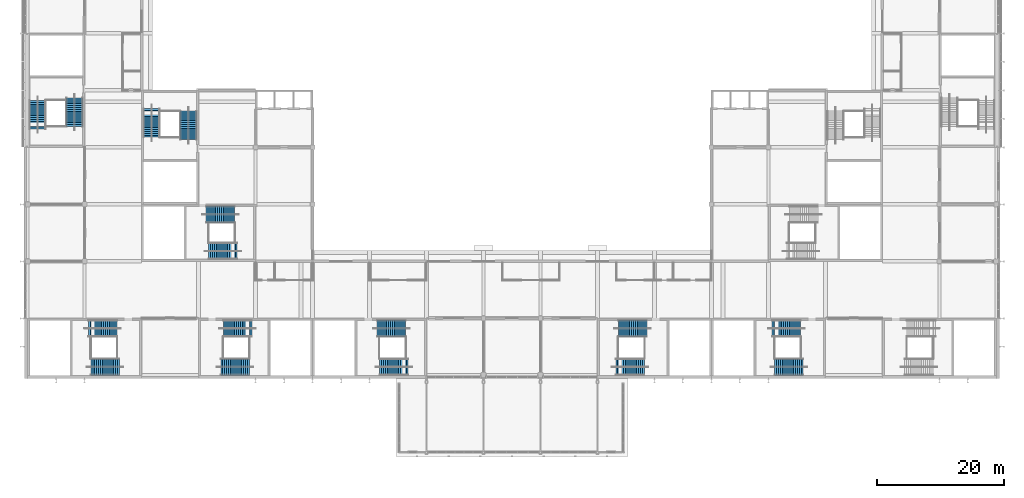
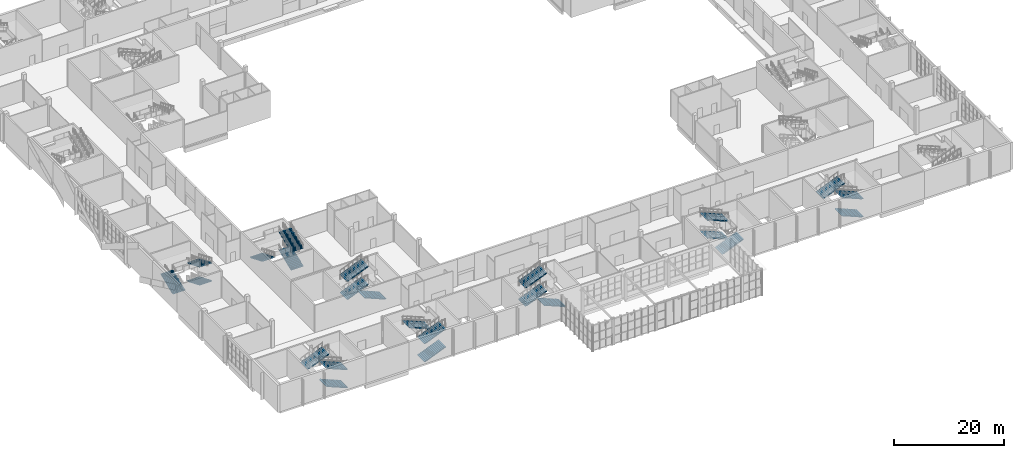
# One storey, part 50 of 89: 24 stair flights, 8 elements without a shape of their own.
"""IFC4 building model written with IfcOpenShell, lengths in metres."""

from ifc_helpers import new_model, si_unit, direction, frame, origin, place, context, subcontext, project, spatial, polyline, outline, extrude, material, type_object, element, aggregate, save


model = new_model("IFC4")

# Units and contexts
model_context = context("Model", 3, precision=1e-05, world=origin(), true_north=direction((0.0, 1.0)))
body_context = subcontext(model_context, "Body", "Model", "MODEL_VIEW")
ifc_project = project(units=[si_unit("LENGTHUNIT", "METRE"), si_unit("AREAUNIT", "SQUARE_METRE"), si_unit("VOLUMEUNIT", "CUBIC_METRE"), si_unit("PLANEANGLEUNIT", "RADIAN"), si_unit("MASSUNIT", "GRAM", prefix="KILO")], contexts=[model_context])

# Site, building, storey
site_placement = place(None, origin())
site = spatial("IfcSite", under=ifc_project, at=site_placement, CompositionType="ELEMENT")
building_placement = place(site_placement, origin())
building = spatial("IfcBuilding", under=site, at=building_placement, Name="Silverbay Arena", CompositionType="ELEMENT")
storey_placement = place(building_placement, frame((0.0, 0.0, 22.0)))
storey = spatial("IfcBuildingStorey", under=building, at=storey_placement, Name="L03", CompositionType="ELEMENT", Elevation=22.0)

# Stair, stair flights
ifc_material_1 = material(Name="Concrete Grade C45", Category="concrete")
stair_type = type_object("IfcStairType", Name="Stair 2600 wide 48 risers 125.0 x 300", PredefinedType="HALF_TURN_STAIR", material=ifc_material_1)
stair_1_placement = place(storey_placement, origin())
stair_1 = element("IfcStair", 1, at=stair_1_placement, inside=storey, type_object=stair_type, Name="Stair ST-S1 L03 to L04", PredefinedType="HALF_TURN_STAIR")
ifc_material_2 = material(Name="Concrete Grade C45", Category="concrete")
stair_flight_type = type_object("IfcStairFlightType", Name="Stair flight 2600 wide 16 risers 125.0 x 300", PredefinedType="STRAIGHT", material=ifc_material_2)
stair_flight_1_placement = place(storey_placement, frame((84.510009765625, 19.300048828125, 0.0), z_axis=(0.0, 0.0, 1.0), x_axis=(1.0, 0.0, 0.0)))
stair_flight_1 = element("IfcStairFlight", 2, at=stair_flight_1_placement, type_object=stair_flight_type, Name="Stair ST-S1 L03 to L04 flight 1", NumberOfRisers=16, NumberOfTreads=15, PredefinedType="STRAIGHT", RiserHeight=0.125, TreadLength=0.3, context=body_context, shape_type="SweptSolid", body=[
    extrude(outline(polyline([(0.0, 0.0), (0.0, 0.125), (0.300048828125, 0.125), (0.300048828125, 0.25), (0.60009765625, 0.25), (0.60009765625, 0.375), (0.89990234375, 0.375), (0.89990234375, 0.5), (1.199951171875, 0.5), (1.199951171875, 0.625), (1.5, 0.625), (1.5, 0.75), (1.800048828125, 0.75), (1.800048828125, 0.875), (2.10009765625, 0.875), (2.10009765625, 1.0), (2.39990234375, 1.0), (2.39990234375, 1.125), (2.699951171875, 1.125), (2.699951171875, 1.25), (3.0, 1.25), (3.0, 1.375), (3.300048828125, 1.375), (3.300048828125, 1.5), (3.60009765625, 1.5), (3.60009765625, 1.625), (3.89990234375, 1.625), (3.89990234375, 1.75), (4.199951171875, 1.75), (4.199951171875, 1.875), (4.5, 1.875), (4.5, 1.712646484375), (0.3896484375, 0.0), (0.0, 0.0)])), frame((0.0, 1.300048828125, 0.0), z_axis=(0.0, -1.0, 0.0), x_axis=(1.0, 0.0, 0.0)), (0.0, 0.0, 1.0), 2.60009765625),
])
stair_flight_2_placement = place(storey_placement, frame((89.39990234375, 25.39990234375, 2.0), z_axis=(0.0, 0.0, 1.0), x_axis=(-1.0, 0.0, 0.0)))
stair_flight_2 = element("IfcStairFlight", 3, at=stair_flight_2_placement, type_object=stair_flight_type, Name="Stair ST-S1 L03 to L04 flight 2", NumberOfRisers=16, NumberOfTreads=15, PredefinedType="STRAIGHT", RiserHeight=0.125, TreadLength=0.3, context=body_context, shape_type="SweptSolid", body=[
    extrude(outline(polyline([(0.0, 0.0), (0.0, 0.125), (0.300048828125, 0.125), (0.300048828125, 0.25), (0.60009765625, 0.25), (0.60009765625, 0.375), (0.89990234375, 0.375), (0.89990234375, 0.5), (1.199951171875, 0.5), (1.199951171875, 0.625), (1.5, 0.625), (1.5, 0.75), (1.800048828125, 0.75), (1.800048828125, 0.875), (2.10009765625, 0.875), (2.10009765625, 1.0), (2.39990234375, 1.0), (2.39990234375, 1.125), (2.699951171875, 1.125), (2.699951171875, 1.25), (3.0, 1.25), (3.0, 1.375), (3.300048828125, 1.375), (3.300048828125, 1.5), (3.60009765625, 1.5), (3.60009765625, 1.625), (3.89990234375, 1.625), (3.89990234375, 1.75), (4.199951171875, 1.75), (4.199951171875, 1.875), (4.5, 1.875), (4.5, 1.712646484375), (0.3896484375, 0.0), (0.0, 0.0)])), frame((0.0, 1.300048828125, 0.0), z_axis=(0.0, -1.0, 0.0), x_axis=(1.0, 0.0, 0.0)), (0.0, 0.0, 1.0), 2.60009765625),
])
stair_flight_3_placement = place(storey_placement, frame((84.510009765625, 19.300048828125, 4.0), z_axis=(0.0, 0.0, 1.0), x_axis=(1.0, 0.0, 0.0)))
stair_flight_3 = element("IfcStairFlight", 4, at=stair_flight_3_placement, type_object=stair_flight_type, Name="Stair ST-S1 L03 to L04 flight 3", NumberOfRisers=16, NumberOfTreads=15, PredefinedType="STRAIGHT", RiserHeight=0.125, TreadLength=0.3, context=body_context, shape_type="SweptSolid", body=[
    extrude(outline(polyline([(0.0, 0.0), (0.0, 0.125), (0.300048828125, 0.125), (0.300048828125, 0.25), (0.60009765625, 0.25), (0.60009765625, 0.375), (0.89990234375, 0.375), (0.89990234375, 0.5), (1.199951171875, 0.5), (1.199951171875, 0.625), (1.5, 0.625), (1.5, 0.75), (1.800048828125, 0.75), (1.800048828125, 0.875), (2.10009765625, 0.875), (2.10009765625, 1.0), (2.39990234375, 1.0), (2.39990234375, 1.125), (2.699951171875, 1.125), (2.699951171875, 1.25), (3.0, 1.25), (3.0, 1.375), (3.300048828125, 1.375), (3.300048828125, 1.5), (3.60009765625, 1.5), (3.60009765625, 1.625), (3.89990234375, 1.625), (3.89990234375, 1.75), (4.199951171875, 1.75), (4.199951171875, 1.875), (4.5, 1.875), (4.5, 1.712646484375), (0.3896484375, 0.0), (0.0, 0.0)])), frame((0.0, 1.300048828125, 0.0), z_axis=(0.0, -1.0, 0.0), x_axis=(1.0, 0.0, 0.0)), (0.0, 0.0, 1.0), 2.60009765625),
])
aggregate(stair_1, [stair_flight_1, stair_flight_2, stair_flight_3])

stair_2_placement = place(storey_placement, origin())
stair_2 = element("IfcStair", 5, at=stair_2_placement, inside=storey, type_object=stair_type, Name="Stair ST-S2 L03 to L04", PredefinedType="HALF_TURN_STAIR")
stair_flight_4_placement = place(storey_placement, frame((109.2099609375, 25.39990234375, 0.0), z_axis=(0.0, 0.0, 1.0), x_axis=(1.0, 0.0, 0.0)))
stair_flight_4 = element("IfcStairFlight", 6, at=stair_flight_4_placement, type_object=stair_flight_type, Name="Stair ST-S2 L03 to L04 flight 1", NumberOfRisers=16, NumberOfTreads=15, PredefinedType="STRAIGHT", RiserHeight=0.125, TreadLength=0.3, context=body_context, shape_type="SweptSolid", body=[
    extrude(outline(polyline([(0.0, 0.0), (0.0, 0.125), (0.300048828125, 0.125), (0.300048828125, 0.25), (0.60009765625, 0.25), (0.60009765625, 0.375), (0.89990234375, 0.375), (0.89990234375, 0.5), (1.199951171875, 0.5), (1.199951171875, 0.625), (1.5, 0.625), (1.5, 0.75), (1.800048828125, 0.75), (1.800048828125, 0.875), (2.10009765625, 0.875), (2.10009765625, 1.0), (2.39990234375, 1.0), (2.39990234375, 1.125), (2.699951171875, 1.125), (2.699951171875, 1.25), (3.0, 1.25), (3.0, 1.375), (3.300048828125, 1.375), (3.300048828125, 1.5), (3.60009765625, 1.5), (3.60009765625, 1.625), (3.89990234375, 1.625), (3.89990234375, 1.75), (4.199951171875, 1.75), (4.199951171875, 1.875), (4.5, 1.875), (4.5, 1.712646484375), (0.3896484375, 0.0), (0.0, 0.0)])), frame((0.0, 1.300048828125, 0.0), z_axis=(0.0, -1.0, 0.0), x_axis=(1.0, 0.0, 0.0)), (0.0, 0.0, 1.0), 2.60009765625),
])
stair_flight_5_placement = place(storey_placement, frame((114.10009765625, 19.300048828125, 2.0), z_axis=(0.0, 0.0, 1.0), x_axis=(-1.0, 0.0, 0.0)))
stair_flight_5 = element("IfcStairFlight", 7, at=stair_flight_5_placement, type_object=stair_flight_type, Name="Stair ST-S2 L03 to L04 flight 2", NumberOfRisers=16, NumberOfTreads=15, PredefinedType="STRAIGHT", RiserHeight=0.125, TreadLength=0.3, context=body_context, shape_type="SweptSolid", body=[
    extrude(outline(polyline([(0.0, 0.0), (0.0, 0.125), (0.300048828125, 0.125), (0.300048828125, 0.25), (0.60009765625, 0.25), (0.60009765625, 0.375), (0.89990234375, 0.375), (0.89990234375, 0.5), (1.199951171875, 0.5), (1.199951171875, 0.625), (1.5, 0.625), (1.5, 0.75), (1.800048828125, 0.75), (1.800048828125, 0.875), (2.10009765625, 0.875), (2.10009765625, 1.0), (2.39990234375, 1.0), (2.39990234375, 1.125), (2.699951171875, 1.125), (2.699951171875, 1.25), (3.0, 1.25), (3.0, 1.375), (3.300048828125, 1.375), (3.300048828125, 1.5), (3.60009765625, 1.5), (3.60009765625, 1.625), (3.89990234375, 1.625), (3.89990234375, 1.75), (4.199951171875, 1.75), (4.199951171875, 1.875), (4.5, 1.875), (4.5, 1.712646484375), (0.3896484375, 0.0), (0.0, 0.0)])), frame((0.0, 1.300048828125, 0.0), z_axis=(0.0, -1.0, 0.0), x_axis=(1.0, 0.0, 0.0)), (0.0, 0.0, 1.0), 2.60009765625),
])
stair_flight_6_placement = place(storey_placement, frame((109.2099609375, 25.39990234375, 4.0), z_axis=(0.0, 0.0, 1.0), x_axis=(1.0, 0.0, 0.0)))
stair_flight_6 = element("IfcStairFlight", 8, at=stair_flight_6_placement, type_object=stair_flight_type, Name="Stair ST-S2 L03 to L04 flight 3", NumberOfRisers=16, NumberOfTreads=15, PredefinedType="STRAIGHT", RiserHeight=0.125, TreadLength=0.3, context=body_context, shape_type="SweptSolid", body=[
    extrude(outline(polyline([(0.0, 0.0), (0.0, 0.125), (0.300048828125, 0.125), (0.300048828125, 0.25), (0.60009765625, 0.25), (0.60009765625, 0.375), (0.89990234375, 0.375), (0.89990234375, 0.5), (1.199951171875, 0.5), (1.199951171875, 0.625), (1.5, 0.625), (1.5, 0.75), (1.800048828125, 0.75), (1.800048828125, 0.875), (2.10009765625, 0.875), (2.10009765625, 1.0), (2.39990234375, 1.0), (2.39990234375, 1.125), (2.699951171875, 1.125), (2.699951171875, 1.25), (3.0, 1.25), (3.0, 1.375), (3.300048828125, 1.375), (3.300048828125, 1.5), (3.60009765625, 1.5), (3.60009765625, 1.625), (3.89990234375, 1.625), (3.89990234375, 1.75), (4.199951171875, 1.75), (4.199951171875, 1.875), (4.5, 1.875), (4.5, 1.712646484375), (0.3896484375, 0.0), (0.0, 0.0)])), frame((0.0, 1.300048828125, 0.0), z_axis=(0.0, -1.0, 0.0), x_axis=(1.0, 0.0, 0.0)), (0.0, 0.0, 1.0), 2.60009765625),
])
aggregate(stair_2, [stair_flight_4, stair_flight_5, stair_flight_6])

stair_3_placement = place(storey_placement, origin())
stair_3 = element("IfcStair", 9, at=stair_3_placement, inside=storey, type_object=stair_type, Name="Stair ST-S3 L03 to L04", PredefinedType="HALF_TURN_STAIR")
stair_flight_7_placement = place(storey_placement, frame((151.7900390625, 25.39990234375, 0.0), z_axis=(0.0, 0.0, 1.0), x_axis=(-1.0, 0.0, 0.0)))
stair_flight_7 = element("IfcStairFlight", 10, at=stair_flight_7_placement, type_object=stair_flight_type, Name="Stair ST-S3 L03 to L04 flight 1", NumberOfRisers=16, NumberOfTreads=15, PredefinedType="STRAIGHT", RiserHeight=0.125, TreadLength=0.3, context=body_context, shape_type="SweptSolid", body=[
    extrude(outline(polyline([(0.0, 0.0), (0.0, 0.125), (0.300048828125, 0.125), (0.300048828125, 0.25), (0.60009765625, 0.25), (0.60009765625, 0.375), (0.89990234375, 0.375), (0.89990234375, 0.5), (1.199951171875, 0.5), (1.199951171875, 0.625), (1.5, 0.625), (1.5, 0.75), (1.800048828125, 0.75), (1.800048828125, 0.875), (2.10009765625, 0.875), (2.10009765625, 1.0), (2.39990234375, 1.0), (2.39990234375, 1.125), (2.699951171875, 1.125), (2.699951171875, 1.25), (3.0, 1.25), (3.0, 1.375), (3.300048828125, 1.375), (3.300048828125, 1.5), (3.60009765625, 1.5), (3.60009765625, 1.625), (3.89990234375, 1.625), (3.89990234375, 1.75), (4.199951171875, 1.75), (4.199951171875, 1.875), (4.5, 1.875), (4.5, 1.712646484375), (0.3896484375, 0.0), (0.0, 0.0)])), frame((0.0, 1.300048828125, 0.0), z_axis=(0.0, -1.0, 0.0), x_axis=(1.0, 0.0, 0.0)), (0.0, 0.0, 1.0), 2.60009765625),
])
stair_flight_8_placement = place(storey_placement, frame((146.89990234375, 19.300048828125, 2.0), z_axis=(0.0, 0.0, 1.0), x_axis=(1.0, 0.0, 0.0)))
stair_flight_8 = element("IfcStairFlight", 11, at=stair_flight_8_placement, type_object=stair_flight_type, Name="Stair ST-S3 L03 to L04 flight 2", NumberOfRisers=16, NumberOfTreads=15, PredefinedType="STRAIGHT", RiserHeight=0.125, TreadLength=0.3, context=body_context, shape_type="SweptSolid", body=[
    extrude(outline(polyline([(0.0, 0.0), (0.0, 0.125), (0.300048828125, 0.125), (0.300048828125, 0.25), (0.60009765625, 0.25), (0.60009765625, 0.375), (0.89990234375, 0.375), (0.89990234375, 0.5), (1.199951171875, 0.5), (1.199951171875, 0.625), (1.5, 0.625), (1.5, 0.75), (1.800048828125, 0.75), (1.800048828125, 0.875), (2.10009765625, 0.875), (2.10009765625, 1.0), (2.39990234375, 1.0), (2.39990234375, 1.125), (2.699951171875, 1.125), (2.699951171875, 1.25), (3.0, 1.25), (3.0, 1.375), (3.300048828125, 1.375), (3.300048828125, 1.5), (3.60009765625, 1.5), (3.60009765625, 1.625), (3.89990234375, 1.625), (3.89990234375, 1.75), (4.199951171875, 1.75), (4.199951171875, 1.875), (4.5, 1.875), (4.5, 1.712646484375), (0.3896484375, 0.0), (0.0, 0.0)])), frame((0.0, 1.300048828125, 0.0), z_axis=(0.0, -1.0, 0.0), x_axis=(1.0, 0.0, 0.0)), (0.0, 0.0, 1.0), 2.60009765625),
])
stair_flight_9_placement = place(storey_placement, frame((151.7900390625, 25.39990234375, 4.0), z_axis=(0.0, 0.0, 1.0), x_axis=(-1.0, 0.0, 0.0)))
stair_flight_9 = element("IfcStairFlight", 12, at=stair_flight_9_placement, type_object=stair_flight_type, Name="Stair ST-S3 L03 to L04 flight 3", NumberOfRisers=16, NumberOfTreads=15, PredefinedType="STRAIGHT", RiserHeight=0.125, TreadLength=0.3, context=body_context, shape_type="SweptSolid", body=[
    extrude(outline(polyline([(0.0, 0.0), (0.0, 0.125), (0.300048828125, 0.125), (0.300048828125, 0.25), (0.60009765625, 0.25), (0.60009765625, 0.375), (0.89990234375, 0.375), (0.89990234375, 0.5), (1.199951171875, 0.5), (1.199951171875, 0.625), (1.5, 0.625), (1.5, 0.75), (1.800048828125, 0.75), (1.800048828125, 0.875), (2.10009765625, 0.875), (2.10009765625, 1.0), (2.39990234375, 1.0), (2.39990234375, 1.125), (2.699951171875, 1.125), (2.699951171875, 1.25), (3.0, 1.25), (3.0, 1.375), (3.300048828125, 1.375), (3.300048828125, 1.5), (3.60009765625, 1.5), (3.60009765625, 1.625), (3.89990234375, 1.625), (3.89990234375, 1.75), (4.199951171875, 1.75), (4.199951171875, 1.875), (4.5, 1.875), (4.5, 1.712646484375), (0.3896484375, 0.0), (0.0, 0.0)])), frame((0.0, 1.300048828125, 0.0), z_axis=(0.0, -1.0, 0.0), x_axis=(1.0, 0.0, 0.0)), (0.0, 0.0, 1.0), 2.60009765625),
])
aggregate(stair_3, [stair_flight_7, stair_flight_8, stair_flight_9])

stair_4_placement = place(storey_placement, origin())
stair_4 = element("IfcStair", 13, at=stair_4_placement, inside=storey, type_object=stair_type, Name="Stair ST-S4 L03 to L04", PredefinedType="HALF_TURN_STAIR")
stair_flight_10_placement = place(storey_placement, frame((176.489990234375, 19.300048828125, 0.0), z_axis=(0.0, 0.0, 1.0), x_axis=(-1.0, 0.0, 0.0)))
stair_flight_10 = element("IfcStairFlight", 14, at=stair_flight_10_placement, type_object=stair_flight_type, Name="Stair ST-S4 L03 to L04 flight 1", NumberOfRisers=16, NumberOfTreads=15, PredefinedType="STRAIGHT", RiserHeight=0.125, TreadLength=0.3, context=body_context, shape_type="SweptSolid", body=[
    extrude(outline(polyline([(0.0, 0.0), (0.0, 0.125), (0.300048828125, 0.125), (0.300048828125, 0.25), (0.60009765625, 0.25), (0.60009765625, 0.375), (0.89990234375, 0.375), (0.89990234375, 0.5), (1.199951171875, 0.5), (1.199951171875, 0.625), (1.5, 0.625), (1.5, 0.75), (1.800048828125, 0.75), (1.800048828125, 0.875), (2.10009765625, 0.875), (2.10009765625, 1.0), (2.39990234375, 1.0), (2.39990234375, 1.125), (2.699951171875, 1.125), (2.699951171875, 1.25), (3.0, 1.25), (3.0, 1.375), (3.300048828125, 1.375), (3.300048828125, 1.5), (3.60009765625, 1.5), (3.60009765625, 1.625), (3.89990234375, 1.625), (3.89990234375, 1.75), (4.199951171875, 1.75), (4.199951171875, 1.875), (4.5, 1.875), (4.5, 1.712646484375), (0.3896484375, 0.0), (0.0, 0.0)])), frame((0.0, 1.300048828125, 0.0), z_axis=(0.0, -1.0, 0.0), x_axis=(1.0, 0.0, 0.0)), (0.0, 0.0, 1.0), 2.60009765625),
])
stair_flight_11_placement = place(storey_placement, frame((171.60009765625, 25.39990234375, 2.0), z_axis=(0.0, 0.0, 1.0), x_axis=(1.0, 0.0, 0.0)))
stair_flight_11 = element("IfcStairFlight", 15, at=stair_flight_11_placement, type_object=stair_flight_type, Name="Stair ST-S4 L03 to L04 flight 2", NumberOfRisers=16, NumberOfTreads=15, PredefinedType="STRAIGHT", RiserHeight=0.125, TreadLength=0.3, context=body_context, shape_type="SweptSolid", body=[
    extrude(outline(polyline([(0.0, 0.0), (0.0, 0.125), (0.300048828125, 0.125), (0.300048828125, 0.25), (0.60009765625, 0.25), (0.60009765625, 0.375), (0.89990234375, 0.375), (0.89990234375, 0.5), (1.199951171875, 0.5), (1.199951171875, 0.625), (1.5, 0.625), (1.5, 0.75), (1.800048828125, 0.75), (1.800048828125, 0.875), (2.10009765625, 0.875), (2.10009765625, 1.0), (2.39990234375, 1.0), (2.39990234375, 1.125), (2.699951171875, 1.125), (2.699951171875, 1.25), (3.0, 1.25), (3.0, 1.375), (3.300048828125, 1.375), (3.300048828125, 1.5), (3.60009765625, 1.5), (3.60009765625, 1.625), (3.89990234375, 1.625), (3.89990234375, 1.75), (4.199951171875, 1.75), (4.199951171875, 1.875), (4.5, 1.875), (4.5, 1.712646484375), (0.3896484375, 0.0), (0.0, 0.0)])), frame((0.0, 1.300048828125, 0.0), z_axis=(0.0, -1.0, 0.0), x_axis=(1.0, 0.0, 0.0)), (0.0, 0.0, 1.0), 2.60009765625),
])
stair_flight_12_placement = place(storey_placement, frame((176.489990234375, 19.300048828125, 4.0), z_axis=(0.0, 0.0, 1.0), x_axis=(-1.0, 0.0, 0.0)))
stair_flight_12 = element("IfcStairFlight", 16, at=stair_flight_12_placement, type_object=stair_flight_type, Name="Stair ST-S4 L03 to L04 flight 3", NumberOfRisers=16, NumberOfTreads=15, PredefinedType="STRAIGHT", RiserHeight=0.125, TreadLength=0.3, context=body_context, shape_type="SweptSolid", body=[
    extrude(outline(polyline([(0.0, 0.0), (0.0, 0.125), (0.300048828125, 0.125), (0.300048828125, 0.25), (0.60009765625, 0.25), (0.60009765625, 0.375), (0.89990234375, 0.375), (0.89990234375, 0.5), (1.199951171875, 0.5), (1.199951171875, 0.625), (1.5, 0.625), (1.5, 0.75), (1.800048828125, 0.75), (1.800048828125, 0.875), (2.10009765625, 0.875), (2.10009765625, 1.0), (2.39990234375, 1.0), (2.39990234375, 1.125), (2.699951171875, 1.125), (2.699951171875, 1.25), (3.0, 1.25), (3.0, 1.375), (3.300048828125, 1.375), (3.300048828125, 1.5), (3.60009765625, 1.5), (3.60009765625, 1.625), (3.89990234375, 1.625), (3.89990234375, 1.75), (4.199951171875, 1.75), (4.199951171875, 1.875), (4.5, 1.875), (4.5, 1.712646484375), (0.3896484375, 0.0), (0.0, 0.0)])), frame((0.0, 1.300048828125, 0.0), z_axis=(0.0, -1.0, 0.0), x_axis=(1.0, 0.0, 0.0)), (0.0, 0.0, 1.0), 2.60009765625),
])
aggregate(stair_4, [stair_flight_10, stair_flight_11, stair_flight_12])

stair_5_placement = place(storey_placement, origin())
stair_5 = element("IfcStair", 17, at=stair_5_placement, inside=storey, type_object=stair_type, Name="Stair ST-S5 L03 to L04", PredefinedType="HALF_TURN_STAIR")
stair_flight_13_placement = place(storey_placement, frame((68.489990234375, 19.300048828125, 0.0), z_axis=(0.0, 0.0, 1.0), x_axis=(-1.0, 0.0, 0.0)))
stair_flight_13 = element("IfcStairFlight", 18, at=stair_flight_13_placement, type_object=stair_flight_type, Name="Stair ST-S5 L03 to L04 flight 1", NumberOfRisers=16, NumberOfTreads=15, PredefinedType="STRAIGHT", RiserHeight=0.125, TreadLength=0.3, context=body_context, shape_type="SweptSolid", body=[
    extrude(outline(polyline([(0.0, 0.0), (0.0, 0.125), (0.300048828125, 0.125), (0.300048828125, 0.25), (0.60009765625, 0.25), (0.60009765625, 0.375), (0.89990234375, 0.375), (0.89990234375, 0.5), (1.199951171875, 0.5), (1.199951171875, 0.625), (1.5, 0.625), (1.5, 0.75), (1.800048828125, 0.75), (1.800048828125, 0.875), (2.10009765625, 0.875), (2.10009765625, 1.0), (2.39990234375, 1.0), (2.39990234375, 1.125), (2.699951171875, 1.125), (2.699951171875, 1.25), (3.0, 1.25), (3.0, 1.375), (3.300048828125, 1.375), (3.300048828125, 1.5), (3.60009765625, 1.5), (3.60009765625, 1.625), (3.89990234375, 1.625), (3.89990234375, 1.75), (4.199951171875, 1.75), (4.199951171875, 1.875), (4.5, 1.875), (4.5, 1.712646484375), (0.3896484375, 0.0), (0.0, 0.0)])), frame((0.0, 1.300048828125, 0.0), z_axis=(0.0, -1.0, 0.0), x_axis=(1.0, 0.0, 0.0)), (0.0, 0.0, 1.0), 2.60009765625),
])
stair_flight_14_placement = place(storey_placement, frame((63.60009765625, 25.39990234375, 2.0), z_axis=(0.0, 0.0, 1.0), x_axis=(1.0, 0.0, 0.0)))
stair_flight_14 = element("IfcStairFlight", 19, at=stair_flight_14_placement, type_object=stair_flight_type, Name="Stair ST-S5 L03 to L04 flight 2", NumberOfRisers=16, NumberOfTreads=15, PredefinedType="STRAIGHT", RiserHeight=0.125, TreadLength=0.3, context=body_context, shape_type="SweptSolid", body=[
    extrude(outline(polyline([(0.0, 0.0), (0.0, 0.125), (0.300048828125, 0.125), (0.300048828125, 0.25), (0.60009765625, 0.25), (0.60009765625, 0.375), (0.89990234375, 0.375), (0.89990234375, 0.5), (1.199951171875, 0.5), (1.199951171875, 0.625), (1.5, 0.625), (1.5, 0.75), (1.800048828125, 0.75), (1.800048828125, 0.875), (2.10009765625, 0.875), (2.10009765625, 1.0), (2.39990234375, 1.0), (2.39990234375, 1.125), (2.699951171875, 1.125), (2.699951171875, 1.25), (3.0, 1.25), (3.0, 1.375), (3.300048828125, 1.375), (3.300048828125, 1.5), (3.60009765625, 1.5), (3.60009765625, 1.625), (3.89990234375, 1.625), (3.89990234375, 1.75), (4.199951171875, 1.75), (4.199951171875, 1.875), (4.5, 1.875), (4.5, 1.712646484375), (0.3896484375, 0.0), (0.0, 0.0)])), frame((0.0, 1.300048828125, 0.0), z_axis=(0.0, -1.0, 0.0), x_axis=(1.0, 0.0, 0.0)), (0.0, 0.0, 1.0), 2.60009765625),
])
stair_flight_15_placement = place(storey_placement, frame((68.489990234375, 19.300048828125, 4.0), z_axis=(0.0, 0.0, 1.0), x_axis=(-1.0, 0.0, 0.0)))
stair_flight_15 = element("IfcStairFlight", 20, at=stair_flight_15_placement, type_object=stair_flight_type, Name="Stair ST-S5 L03 to L04 flight 3", NumberOfRisers=16, NumberOfTreads=15, PredefinedType="STRAIGHT", RiserHeight=0.125, TreadLength=0.3, context=body_context, shape_type="SweptSolid", body=[
    extrude(outline(polyline([(0.0, 0.0), (0.0, 0.125), (0.300048828125, 0.125), (0.300048828125, 0.25), (0.60009765625, 0.25), (0.60009765625, 0.375), (0.89990234375, 0.375), (0.89990234375, 0.5), (1.199951171875, 0.5), (1.199951171875, 0.625), (1.5, 0.625), (1.5, 0.75), (1.800048828125, 0.75), (1.800048828125, 0.875), (2.10009765625, 0.875), (2.10009765625, 1.0), (2.39990234375, 1.0), (2.39990234375, 1.125), (2.699951171875, 1.125), (2.699951171875, 1.25), (3.0, 1.25), (3.0, 1.375), (3.300048828125, 1.375), (3.300048828125, 1.5), (3.60009765625, 1.5), (3.60009765625, 1.625), (3.89990234375, 1.625), (3.89990234375, 1.75), (4.199951171875, 1.75), (4.199951171875, 1.875), (4.5, 1.875), (4.5, 1.712646484375), (0.3896484375, 0.0), (0.0, 0.0)])), frame((0.0, 1.300048828125, 0.0), z_axis=(0.0, -1.0, 0.0), x_axis=(1.0, 0.0, 0.0)), (0.0, 0.0, 1.0), 2.60009765625),
])
aggregate(stair_5, [stair_flight_13, stair_flight_14, stair_flight_15])

stair_6_placement = place(storey_placement, origin())
stair_6 = element("IfcStair", 21, at=stair_6_placement, inside=storey, type_object=stair_type, Name="Stair ST-W1 L03 to L04", PredefinedType="HALF_TURN_STAIR")
stair_flight_16_placement = place(storey_placement, frame((61.39990234375, 61.7900390625, 0.0), z_axis=(0.0, 0.0, 1.0), x_axis=(0.0, -1.0, 0.0)))
stair_flight_16 = element("IfcStairFlight", 22, at=stair_flight_16_placement, type_object=stair_flight_type, Name="Stair ST-W1 L03 to L04 flight 1", NumberOfRisers=16, NumberOfTreads=15, PredefinedType="STRAIGHT", RiserHeight=0.125, TreadLength=0.3, context=body_context, shape_type="SweptSolid", body=[
    extrude(outline(polyline([(0.0, 0.0), (0.0, 0.125), (0.300048828125, 0.125), (0.300048828125, 0.25), (0.60009765625, 0.25), (0.60009765625, 0.375), (0.89990234375, 0.375), (0.89990234375, 0.5), (1.199951171875, 0.5), (1.199951171875, 0.625), (1.5, 0.625), (1.5, 0.75), (1.800048828125, 0.75), (1.800048828125, 0.875), (2.10009765625, 0.875), (2.10009765625, 1.0), (2.39990234375, 1.0), (2.39990234375, 1.125), (2.699951171875, 1.125), (2.699951171875, 1.25), (3.0, 1.25), (3.0, 1.375), (3.300048828125, 1.375), (3.300048828125, 1.5), (3.60009765625, 1.5), (3.60009765625, 1.625), (3.89990234375, 1.625), (3.89990234375, 1.75), (4.199951171875, 1.75), (4.199951171875, 1.875), (4.5, 1.875), (4.5, 1.712646484375), (0.3896484375, 0.0), (0.0, 0.0)])), frame((0.0, 1.300048828125, 0.0), z_axis=(0.0, -1.0, 0.0), x_axis=(1.0, 0.0, 0.0)), (0.0, 0.0, 1.0), 2.60009765625),
])
stair_flight_17_placement = place(storey_placement, frame((55.60009765625, 56.89990234375, 2.0), z_axis=(0.0, 0.0, 1.0), x_axis=(0.0, 1.0, 0.0)))
stair_flight_17 = element("IfcStairFlight", 23, at=stair_flight_17_placement, type_object=stair_flight_type, Name="Stair ST-W1 L03 to L04 flight 2", NumberOfRisers=16, NumberOfTreads=15, PredefinedType="STRAIGHT", RiserHeight=0.125, TreadLength=0.3, context=body_context, shape_type="SweptSolid", body=[
    extrude(outline(polyline([(0.0, 0.0), (0.0, 0.125), (0.300048828125, 0.125), (0.300048828125, 0.25), (0.60009765625, 0.25), (0.60009765625, 0.375), (0.89990234375, 0.375), (0.89990234375, 0.5), (1.199951171875, 0.5), (1.199951171875, 0.625), (1.5, 0.625), (1.5, 0.75), (1.800048828125, 0.75), (1.800048828125, 0.875), (2.10009765625, 0.875), (2.10009765625, 1.0), (2.39990234375, 1.0), (2.39990234375, 1.125), (2.699951171875, 1.125), (2.699951171875, 1.25), (3.0, 1.25), (3.0, 1.375), (3.300048828125, 1.375), (3.300048828125, 1.5), (3.60009765625, 1.5), (3.60009765625, 1.625), (3.89990234375, 1.625), (3.89990234375, 1.75), (4.199951171875, 1.75), (4.199951171875, 1.875), (4.5, 1.875), (4.5, 1.712646484375), (0.3896484375, 0.0), (0.0, 0.0)])), frame((0.0, 1.300048828125, 0.0), z_axis=(0.0, -1.0, 0.0), x_axis=(1.0, 0.0, 0.0)), (0.0, 0.0, 1.0), 2.60009765625),
])
stair_flight_18_placement = place(storey_placement, frame((61.39990234375, 61.7900390625, 4.0), z_axis=(0.0, 0.0, 1.0), x_axis=(0.0, -1.0, 0.0)))
stair_flight_18 = element("IfcStairFlight", 24, at=stair_flight_18_placement, type_object=stair_flight_type, Name="Stair ST-W1 L03 to L04 flight 3", NumberOfRisers=16, NumberOfTreads=15, PredefinedType="STRAIGHT", RiserHeight=0.125, TreadLength=0.3, context=body_context, shape_type="SweptSolid", body=[
    extrude(outline(polyline([(0.0, 0.0), (0.0, 0.125), (0.300048828125, 0.125), (0.300048828125, 0.25), (0.60009765625, 0.25), (0.60009765625, 0.375), (0.89990234375, 0.375), (0.89990234375, 0.5), (1.199951171875, 0.5), (1.199951171875, 0.625), (1.5, 0.625), (1.5, 0.75), (1.800048828125, 0.75), (1.800048828125, 0.875), (2.10009765625, 0.875), (2.10009765625, 1.0), (2.39990234375, 1.0), (2.39990234375, 1.125), (2.699951171875, 1.125), (2.699951171875, 1.25), (3.0, 1.25), (3.0, 1.375), (3.300048828125, 1.375), (3.300048828125, 1.5), (3.60009765625, 1.5), (3.60009765625, 1.625), (3.89990234375, 1.625), (3.89990234375, 1.75), (4.199951171875, 1.75), (4.199951171875, 1.875), (4.5, 1.875), (4.5, 1.712646484375), (0.3896484375, 0.0), (0.0, 0.0)])), frame((0.0, 1.300048828125, 0.0), z_axis=(0.0, -1.0, 0.0), x_axis=(1.0, 0.0, 0.0)), (0.0, 0.0, 1.0), 2.60009765625),
])
aggregate(stair_6, [stair_flight_16, stair_flight_17, stair_flight_18])

stair_7_placement = place(storey_placement, origin())
stair_7 = element("IfcStair", 25, at=stair_7_placement, inside=storey, type_object=stair_type, Name="Stair ST-SW1 L03 to L04", PredefinedType="HALF_TURN_STAIR")
stair_flight_19_placement = place(storey_placement, frame((82.2099609375, 43.39990234375, 0.0), z_axis=(0.0, 0.0, 1.0), x_axis=(1.0, 0.0, 0.0)))
stair_flight_19 = element("IfcStairFlight", 26, at=stair_flight_19_placement, type_object=stair_flight_type, Name="Stair ST-SW1 L03 to L04 flight 1", NumberOfRisers=16, NumberOfTreads=15, PredefinedType="STRAIGHT", RiserHeight=0.125, TreadLength=0.3, context=body_context, shape_type="SweptSolid", body=[
    extrude(outline(polyline([(0.0, 0.0), (0.0, 0.125), (0.300048828125, 0.125), (0.300048828125, 0.25), (0.60009765625, 0.25), (0.60009765625, 0.375), (0.89990234375, 0.375), (0.89990234375, 0.5), (1.199951171875, 0.5), (1.199951171875, 0.625), (1.5, 0.625), (1.5, 0.75), (1.800048828125, 0.75), (1.800048828125, 0.875), (2.10009765625, 0.875), (2.10009765625, 1.0), (2.39990234375, 1.0), (2.39990234375, 1.125), (2.699951171875, 1.125), (2.699951171875, 1.25), (3.0, 1.25), (3.0, 1.375), (3.300048828125, 1.375), (3.300048828125, 1.5), (3.60009765625, 1.5), (3.60009765625, 1.625), (3.89990234375, 1.625), (3.89990234375, 1.75), (4.199951171875, 1.75), (4.199951171875, 1.875), (4.5, 1.875), (4.5, 1.712646484375), (0.3896484375, 0.0), (0.0, 0.0)])), frame((0.0, 1.300048828125, 0.0), z_axis=(0.0, -1.0, 0.0), x_axis=(1.0, 0.0, 0.0)), (0.0, 0.0, 1.0), 2.60009765625),
])
stair_flight_20_placement = place(storey_placement, frame((87.10009765625, 37.60009765625, 2.0), z_axis=(0.0, 0.0, 1.0), x_axis=(-1.0, 0.0, 0.0)))
stair_flight_20 = element("IfcStairFlight", 27, at=stair_flight_20_placement, type_object=stair_flight_type, Name="Stair ST-SW1 L03 to L04 flight 2", NumberOfRisers=16, NumberOfTreads=15, PredefinedType="STRAIGHT", RiserHeight=0.125, TreadLength=0.3, context=body_context, shape_type="SweptSolid", body=[
    extrude(outline(polyline([(0.0, 0.0), (0.0, 0.125), (0.300048828125, 0.125), (0.300048828125, 0.25), (0.60009765625, 0.25), (0.60009765625, 0.375), (0.89990234375, 0.375), (0.89990234375, 0.5), (1.199951171875, 0.5), (1.199951171875, 0.625), (1.5, 0.625), (1.5, 0.75), (1.800048828125, 0.75), (1.800048828125, 0.875), (2.10009765625, 0.875), (2.10009765625, 1.0), (2.39990234375, 1.0), (2.39990234375, 1.125), (2.699951171875, 1.125), (2.699951171875, 1.25), (3.0, 1.25), (3.0, 1.375), (3.300048828125, 1.375), (3.300048828125, 1.5), (3.60009765625, 1.5), (3.60009765625, 1.625), (3.89990234375, 1.625), (3.89990234375, 1.75), (4.199951171875, 1.75), (4.199951171875, 1.875), (4.5, 1.875), (4.5, 1.712646484375), (0.3896484375, 0.0), (0.0, 0.0)])), frame((0.0, 1.300048828125, 0.0), z_axis=(0.0, -1.0, 0.0), x_axis=(1.0, 0.0, 0.0)), (0.0, 0.0, 1.0), 2.60009765625),
])
stair_flight_21_placement = place(storey_placement, frame((82.2099609375, 43.39990234375, 4.0), z_axis=(0.0, 0.0, 1.0), x_axis=(1.0, 0.0, 0.0)))
stair_flight_21 = element("IfcStairFlight", 28, at=stair_flight_21_placement, type_object=stair_flight_type, Name="Stair ST-SW1 L03 to L04 flight 3", NumberOfRisers=16, NumberOfTreads=15, PredefinedType="STRAIGHT", RiserHeight=0.125, TreadLength=0.3, context=body_context, shape_type="SweptSolid", body=[
    extrude(outline(polyline([(0.0, 0.0), (0.0, 0.125), (0.300048828125, 0.125), (0.300048828125, 0.25), (0.60009765625, 0.25), (0.60009765625, 0.375), (0.89990234375, 0.375), (0.89990234375, 0.5), (1.199951171875, 0.5), (1.199951171875, 0.625), (1.5, 0.625), (1.5, 0.75), (1.800048828125, 0.75), (1.800048828125, 0.875), (2.10009765625, 0.875), (2.10009765625, 1.0), (2.39990234375, 1.0), (2.39990234375, 1.125), (2.699951171875, 1.125), (2.699951171875, 1.25), (3.0, 1.25), (3.0, 1.375), (3.300048828125, 1.375), (3.300048828125, 1.5), (3.60009765625, 1.5), (3.60009765625, 1.625), (3.89990234375, 1.625), (3.89990234375, 1.75), (4.199951171875, 1.75), (4.199951171875, 1.875), (4.5, 1.875), (4.5, 1.712646484375), (0.3896484375, 0.0), (0.0, 0.0)])), frame((0.0, 1.300048828125, 0.0), z_axis=(0.0, -1.0, 0.0), x_axis=(1.0, 0.0, 0.0)), (0.0, 0.0, 1.0), 2.60009765625),
])
aggregate(stair_7, [stair_flight_19, stair_flight_20, stair_flight_21])

stair_8_placement = place(storey_placement, origin())
stair_8 = element("IfcStair", 29, at=stair_8_placement, inside=storey, type_object=stair_type, Name="Stair ST-SW2 L03 to L04", PredefinedType="HALF_TURN_STAIR")
stair_flight_22_placement = place(storey_placement, frame((79.39990234375, 55.2099609375, 0.0), z_axis=(0.0, 0.0, 1.0), x_axis=(0.0, 1.0, 0.0)))
stair_flight_22 = element("IfcStairFlight", 30, at=stair_flight_22_placement, type_object=stair_flight_type, Name="Stair ST-SW2 L03 to L04 flight 1", NumberOfRisers=16, NumberOfTreads=15, PredefinedType="STRAIGHT", RiserHeight=0.125, TreadLength=0.3, context=body_context, shape_type="SweptSolid", body=[
    extrude(outline(polyline([(0.0, 0.0), (0.0, 0.125), (0.300048828125, 0.125), (0.300048828125, 0.25), (0.60009765625, 0.25), (0.60009765625, 0.375), (0.89990234375, 0.375), (0.89990234375, 0.5), (1.199951171875, 0.5), (1.199951171875, 0.625), (1.5, 0.625), (1.5, 0.75), (1.800048828125, 0.75), (1.800048828125, 0.875), (2.10009765625, 0.875), (2.10009765625, 1.0), (2.39990234375, 1.0), (2.39990234375, 1.125), (2.699951171875, 1.125), (2.699951171875, 1.25), (3.0, 1.25), (3.0, 1.375), (3.300048828125, 1.375), (3.300048828125, 1.5), (3.60009765625, 1.5), (3.60009765625, 1.625), (3.89990234375, 1.625), (3.89990234375, 1.75), (4.199951171875, 1.75), (4.199951171875, 1.875), (4.5, 1.875), (4.5, 1.712646484375), (0.3896484375, 0.0), (0.0, 0.0)])), frame((0.0, 1.300048828125, 0.0), z_axis=(0.0, -1.0, 0.0), x_axis=(1.0, 0.0, 0.0)), (0.0, 0.0, 1.0), 2.60009765625),
])
stair_flight_23_placement = place(storey_placement, frame((73.60009765625, 60.10009765625, 2.0), z_axis=(0.0, 0.0, 1.0), x_axis=(0.0, -1.0, 0.0)))
stair_flight_23 = element("IfcStairFlight", 31, at=stair_flight_23_placement, type_object=stair_flight_type, Name="Stair ST-SW2 L03 to L04 flight 2", NumberOfRisers=16, NumberOfTreads=15, PredefinedType="STRAIGHT", RiserHeight=0.125, TreadLength=0.3, context=body_context, shape_type="SweptSolid", body=[
    extrude(outline(polyline([(0.0, 0.0), (0.0, 0.125), (0.300048828125, 0.125), (0.300048828125, 0.25), (0.60009765625, 0.25), (0.60009765625, 0.375), (0.89990234375, 0.375), (0.89990234375, 0.5), (1.199951171875, 0.5), (1.199951171875, 0.625), (1.5, 0.625), (1.5, 0.75), (1.800048828125, 0.75), (1.800048828125, 0.875), (2.10009765625, 0.875), (2.10009765625, 1.0), (2.39990234375, 1.0), (2.39990234375, 1.125), (2.699951171875, 1.125), (2.699951171875, 1.25), (3.0, 1.25), (3.0, 1.375), (3.300048828125, 1.375), (3.300048828125, 1.5), (3.60009765625, 1.5), (3.60009765625, 1.625), (3.89990234375, 1.625), (3.89990234375, 1.75), (4.199951171875, 1.75), (4.199951171875, 1.875), (4.5, 1.875), (4.5, 1.712646484375), (0.3896484375, 0.0), (0.0, 0.0)])), frame((0.0, 1.300048828125, 0.0), z_axis=(0.0, -1.0, 0.0), x_axis=(1.0, 0.0, 0.0)), (0.0, 0.0, 1.0), 2.60009765625),
])
stair_flight_24_placement = place(storey_placement, frame((79.39990234375, 55.2099609375, 4.0), z_axis=(0.0, 0.0, 1.0), x_axis=(0.0, 1.0, 0.0)))
stair_flight_24 = element("IfcStairFlight", 32, at=stair_flight_24_placement, type_object=stair_flight_type, Name="Stair ST-SW2 L03 to L04 flight 3", NumberOfRisers=16, NumberOfTreads=15, PredefinedType="STRAIGHT", RiserHeight=0.125, TreadLength=0.3, context=body_context, shape_type="SweptSolid", body=[
    extrude(outline(polyline([(0.0, 0.0), (0.0, 0.125), (0.300048828125, 0.125), (0.300048828125, 0.25), (0.60009765625, 0.25), (0.60009765625, 0.375), (0.89990234375, 0.375), (0.89990234375, 0.5), (1.199951171875, 0.5), (1.199951171875, 0.625), (1.5, 0.625), (1.5, 0.75), (1.800048828125, 0.75), (1.800048828125, 0.875), (2.10009765625, 0.875), (2.10009765625, 1.0), (2.39990234375, 1.0), (2.39990234375, 1.125), (2.699951171875, 1.125), (2.699951171875, 1.25), (3.0, 1.25), (3.0, 1.375), (3.300048828125, 1.375), (3.300048828125, 1.5), (3.60009765625, 1.5), (3.60009765625, 1.625), (3.89990234375, 1.625), (3.89990234375, 1.75), (4.199951171875, 1.75), (4.199951171875, 1.875), (4.5, 1.875), (4.5, 1.712646484375), (0.3896484375, 0.0), (0.0, 0.0)])), frame((0.0, 1.300048828125, 0.0), z_axis=(0.0, -1.0, 0.0), x_axis=(1.0, 0.0, 0.0)), (0.0, 0.0, 1.0), 2.60009765625),
])
aggregate(stair_8, [stair_flight_22, stair_flight_23, stair_flight_24])

save(model, "model.ifc")
